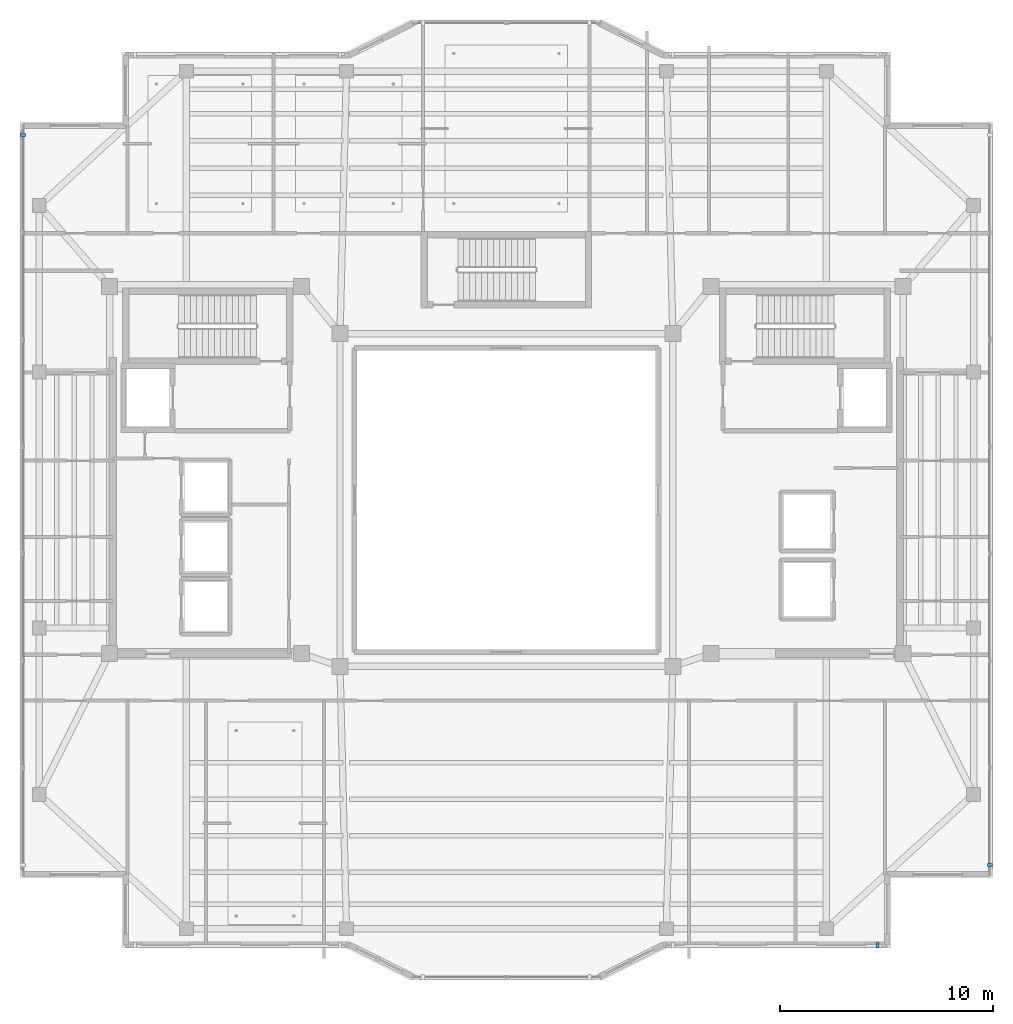
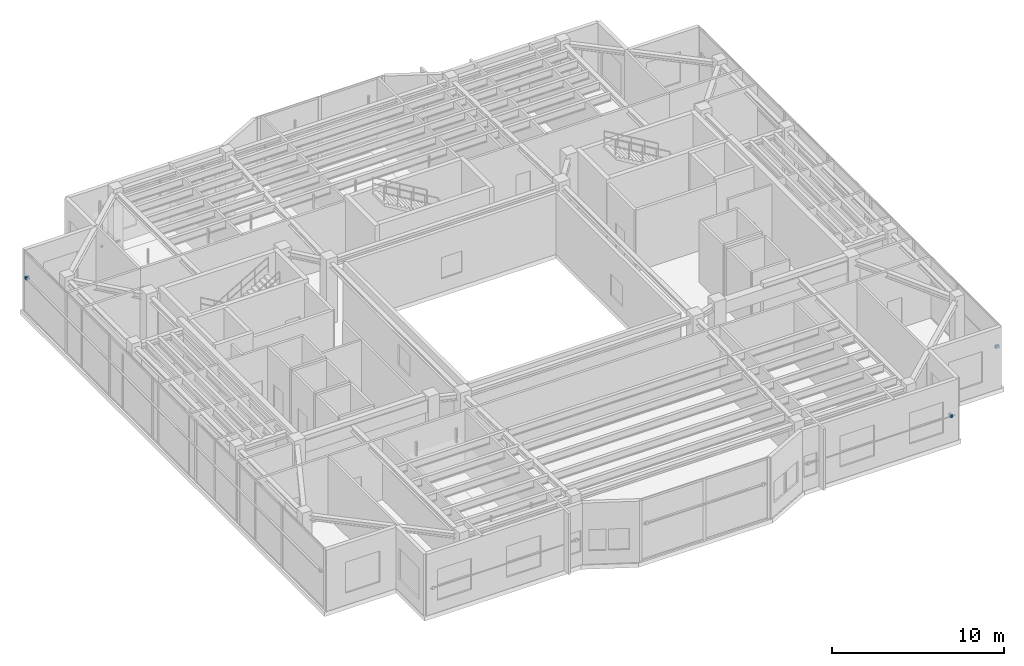
# One storey, part 20 of 25: 3 discrete accessories.
"""IFC4 building model written with IfcOpenShell, lengths in metres."""

from ifc_helpers import new_model, si_unit, direction, frame, origin, origin_2d, place, context, subcontext, project, spatial, rectangle, extrude, material, type_object, element, save


model = new_model("IFC4")

# Units and contexts
model_context = context("Model", 3, precision=1e-05, world=origin(), true_north=direction((0.0, 1.0)))
body_context = subcontext(model_context, "Body", "Model", "MODEL_VIEW")
ifc_project = project(units=[si_unit("LENGTHUNIT", "METRE"), si_unit("AREAUNIT", "SQUARE_METRE"), si_unit("VOLUMEUNIT", "CUBIC_METRE"), si_unit("PLANEANGLEUNIT", "RADIAN"), si_unit("MASSUNIT", "GRAM", prefix="KILO")], contexts=[model_context])

# Site, building, storey
site_placement = place(None, origin())
site = spatial("IfcSite", under=ifc_project, at=site_placement, CompositionType="ELEMENT")
building_placement = place(site_placement, origin())
building = spatial("IfcBuilding", under=site, at=building_placement, Name="Tarnavaz Court Tower", CompositionType="ELEMENT")
storey_placement = place(building_placement, frame((0.0, 0.0, 271.64990234375)))
storey = spatial("IfcBuildingStorey", under=building, at=storey_placement, Name="L74", CompositionType="ELEMENT", Elevation=271.64990234375)

# Discrete accessories
ifc_material = material(Name="Anodised Aluminium 6063-T6", Category="aluminium")
discrete_accessory_type = type_object("IfcDiscreteAccessoryType", Name="DA-BRKT-ALU", PredefinedType="BRACKET", material=ifc_material)
for number, where, z_axis, x_axis, name in (
    (1, (-22.669921875, 17.10009765625, 2.5), (0.0, 0.0, 1.0), (0.0, 1.0, 0.0), "L74 Baguette Outrigger Bracket OBG2-2"),
    (2, (22.669921875, -17.10009765625, 2.5), (0.0, 0.0, 1.0), (0.0, -1.0, 0.0), "L74 Baguette Outrigger Bracket OBG12-2"),
    (3, (17.39990234375, -20.8701171875, 1.75), (0.0, 0.0, 1.0), (-1.0, 0.0, 0.0), "L74 Baguette Outrigger Bracket FBG15-1"),
):
    element("IfcDiscreteAccessory", number, at=place(storey_placement, frame(where, z_axis=z_axis, x_axis=x_axis)), inside=storey, type_object=discrete_accessory_type, Name=name, PredefinedType="BRACKET", context=body_context, shape_type="SweptSolid", body=[
        extrude(rectangle(XDim=0.139892578125, YDim=0.239990234375, at=origin_2d()), origin(), (0.0, 0.0, 1.0), 0.199951171875),
    ])

save(model, "model.ifc")
